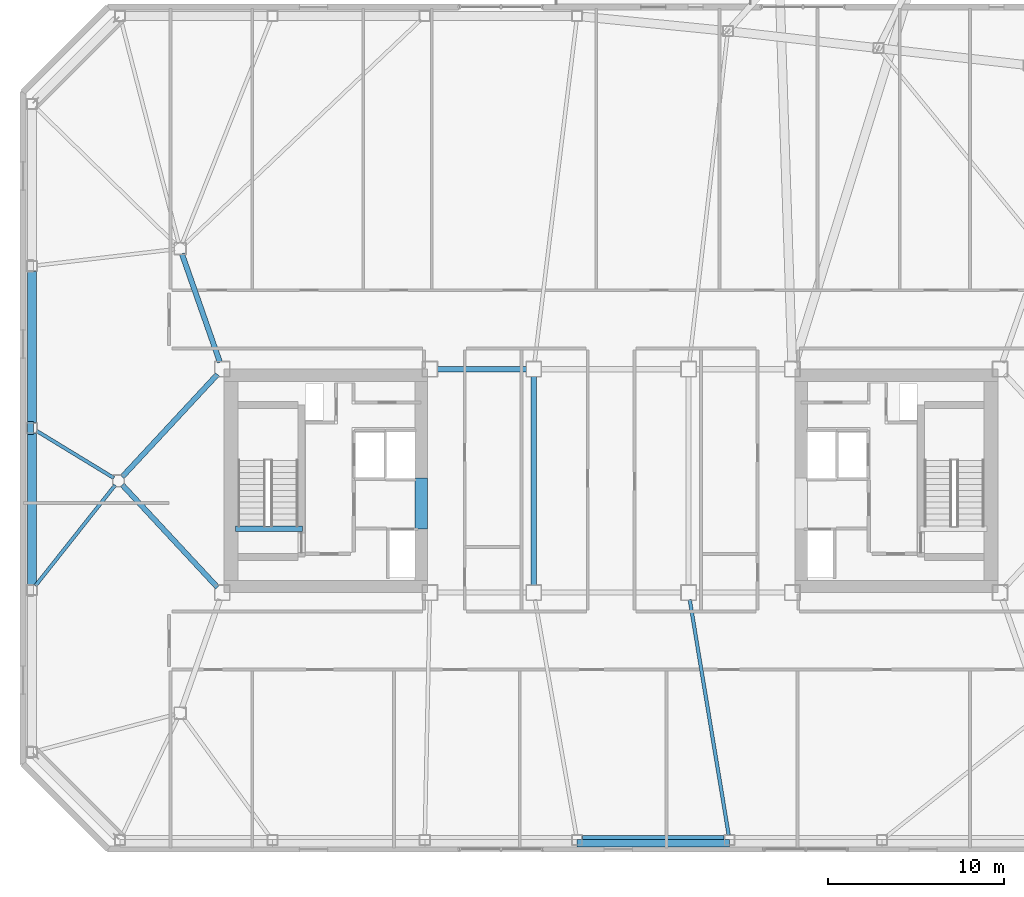
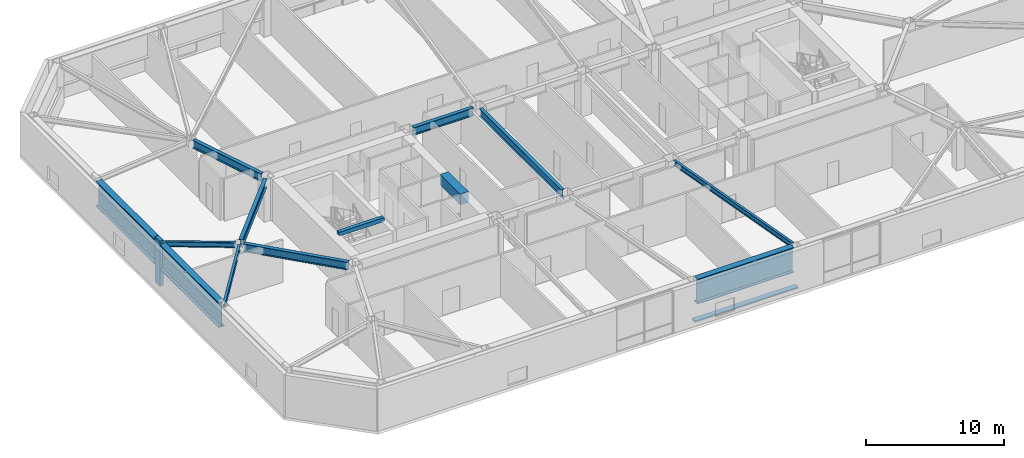
# One storey, part 3 of 19: 13 beams, 2 members.
"""IFC4 building model written with IfcOpenShell, lengths in metres."""

from ifc_helpers import new_model, si_unit, direction, frame, origin, origin_2d, place, context, subcontext, project, spatial, rectangle, i_section, extrude, material, material_profile, profile_set, type_object, element, save


model = new_model("IFC4")

# Units and contexts
model_context = context("Model", 3, precision=1e-05, world=origin(), true_north=direction((0.0, 1.0)))
body_context = subcontext(model_context, "Body", "Model", "MODEL_VIEW")
ifc_project = project(units=[si_unit("LENGTHUNIT", "METRE"), si_unit("AREAUNIT", "SQUARE_METRE"), si_unit("VOLUMEUNIT", "CUBIC_METRE"), si_unit("PLANEANGLEUNIT", "RADIAN"), si_unit("MASSUNIT", "GRAM", prefix="KILO")], contexts=[model_context])

# Site, building, storey
site_placement = place(None, origin())
site = spatial("IfcSite", under=ifc_project, at=site_placement, CompositionType="ELEMENT")
building_placement = place(site_placement, origin())
building = spatial("IfcBuilding", under=site, at=building_placement, Name="Tavrogorsk Clinical Tower", CompositionType="ELEMENT")
storey_placement = place(building_placement, frame((0.0, 0.0, 172.199951171875)))
storey = spatial("IfcBuildingStorey", under=building, at=storey_placement, Name="L39", CompositionType="ELEMENT", Elevation=172.199951171875)

# Member
ifc_material_1 = material(Name="Anodised aluminium alloy AW-6063", Category="aluminium")
ifc_material_profile_1 = material_profile(ifc_material_1, rectangle(XDim=0.449951171875, YDim=0.1201171875, at=origin_2d()), Name="ALU-SUNSHADE-450x120")
ifc_profile_set_1 = profile_set([ifc_material_profile_1], Name="Anodised aluminium alloy AW-6063")
member_type_1 = type_object("IfcMemberType", Name="ChicagoSunshade_450x120", PredefinedType="USERDEFINED", material=ifc_profile_set_1)
member_1_placement = place(storey_placement, frame((-1.931396484375, -20.60009765625, 0.179931640625), z_axis=(1.0, 0.0, 0.0), x_axis=(0.0, 1.0, 0.0)))
element("IfcMember", 1, at=member_1_placement, inside=storey, type_object=member_type_1, Name="L39 South Aluminium Sunshade S4", ObjectType="SUNSHADE", PredefinedType="USERDEFINED", context=body_context, shape_type="SweptSolid", body=[
    extrude(rectangle(XDim=0.449951171875, YDim=0.1201171875, at=origin_2d()), origin(), (0.0, 0.0, 1.0), 8.662841796875),
])

# Beams
ifc_material_2 = material(Name="Concrete B80", Category="concrete")
ifc_material_profile_2 = material_profile(ifc_material_2, rectangle(XDim=0.699951171875, YDim=0.949951171875, at=origin_2d()), Name="RC-CB-700x950")
ifc_profile_set_2 = profile_set([ifc_material_profile_2], Name="Concrete B80")
beam_type_1 = type_object("IfcBeamType", Name="CouplingBeam_RC700x950", PredefinedType="LINTEL", material=ifc_profile_set_2)
beam_1_placement = place(storey_placement, frame((-10.800048828125, -2.75, 3.26513671875), z_axis=(0.0, 1.0, 0.0), x_axis=(-1.0, 0.0, 0.0)))
element("IfcBeam", 2, at=beam_1_placement, inside=storey, type_object=beam_type_1, Name="L39 Core West Coupling Beam", PredefinedType="LINTEL", context=body_context, shape_type="SweptSolid", body=[
    extrude(rectangle(XDim=0.699951171875, YDim=0.949951171875, at=origin_2d()), origin(), (0.0, 0.0, 1.0), 2.89990234375),
])
ifc_material_3 = material(Name="Structural steel S355", Category="steel")
ifc_material_profile_3 = material_profile(ifc_material_3, i_section(OverallWidth=0.199951171875, OverallDepth=0.449951171875, WebThickness=0.011474609375, FlangeThickness=0.01806640625, at=origin_2d()), Name="B-450x200x11.5x18")
ifc_profile_set_3 = profile_set([ifc_material_profile_3], Name="Structural steel S355")
beam_type_2 = type_object("IfcBeamType", Name="FloorBeam_B450", PredefinedType="BEAM", material=ifc_profile_set_3)
beam_2_placement = place(storey_placement, frame((4.467041015625, -6.75439453125, 3.51513671875), z_axis=(0.16347521907, -0.986547440699, 0.0), x_axis=(0.986547440699, 0.16347521907, 0.0)))
element("IfcBeam", 3, at=beam_2_placement, inside=storey, type_object=beam_type_2, Name="L39 Radial Floor Beam S5", PredefinedType="BEAM", context=body_context, shape_type="SweptSolid", body=[
    extrude(i_section(OverallWidth=0.199951171875, OverallDepth=0.449951171875, WebThickness=0.011474609375, FlangeThickness=0.01806640625, at=origin_2d()), origin(), (0.0, 0.0, 1.0), 13.5439453125),
])
beam_3_placement = place(storey_placement, frame((-28.2646484375, 0.161376953125, 3.51513671875), z_axis=(-0.853798748257, 0.520603205402, 0.0), x_axis=(-0.520603205402, -0.853798748257, 0.0)))
element("IfcBeam", 4, at=beam_3_placement, inside=storey, type_object=beam_type_2, Name="L39 Radial Floor Beam W3", PredefinedType="BEAM", context=body_context, shape_type="SweptSolid", body=[
    extrude(i_section(OverallWidth=0.199951171875, OverallDepth=0.449951171875, WebThickness=0.011474609375, FlangeThickness=0.01806640625, at=origin_2d()), origin(), (0.0, 0.0, 1.0), 5.14453125),
])
beam_4_placement = place(storey_placement, frame((-28.192626953125, -0.242919921875, 3.51513671875), z_axis=(-0.620987118336, -0.783820769603, 0.0), x_axis=(0.783820769603, -0.620987118336, 0.0)))
element("IfcBeam", 5, at=beam_4_placement, inside=storey, type_object=beam_type_2, Name="L39 Radial Floor Beam W4", PredefinedType="BEAM", context=body_context, shape_type="SweptSolid", body=[
    extrude(i_section(OverallWidth=0.199951171875, OverallDepth=0.449951171875, WebThickness=0.011474609375, FlangeThickness=0.01806640625, at=origin_2d()), origin(), (0.0, 0.0, 1.0), 7.3046875),
])

# Member
ifc_material_4 = material(Name="Precast concrete B45 with limestone cladding", Category="masonry")
ifc_material_profile_4 = material_profile(ifc_material_4, rectangle(XDim=0.320068359375, YDim=0.719970703125, at=origin_2d()), Name="LIMESTONE-FIN-320x720")
ifc_profile_set_4 = profile_set([ifc_material_profile_4], Name="Precast concrete B45 with limestone cladding")
member_type_2 = type_object("IfcMemberType", Name="LimestonePleatFin_320x720", PredefinedType="USERDEFINED", material=ifc_profile_set_4)
member_2_placement = place(storey_placement, frame((-33.0, 3.0, 0.0), z_axis=(0.0, 0.0, 1.0), x_axis=(1.0, 0.0, 0.0)))
element("IfcMember", 6, at=member_2_placement, inside=storey, type_object=member_type_2, Name="L39 W Pleated Stone Fin 2", ObjectType="FIN", PredefinedType="USERDEFINED", context=body_context, shape_type="SweptSolid", body=[
    extrude(rectangle(XDim=0.320068359375, YDim=0.719970703125, at=origin_2d()), origin(), (0.0, 0.0, 1.0), 4.0),
])

# Beams
ifc_material_5 = material(Name="Structural steel S390", Category="steel")
ifc_material_profile_5 = material_profile(ifc_material_5, i_section(OverallWidth=0.300048828125, OverallDepth=0.699951171875, WebThickness=0.01708984375, FlangeThickness=0.028076171875, at=origin_2d()), Name="B-700x300x17x28")
ifc_profile_set_5 = profile_set([ifc_material_profile_5], Name="Structural steel S390")
beam_type_3 = type_object("IfcBeamType", Name="PrimaryGirder_B700", PredefinedType="USERDEFINED", material=ifc_profile_set_5)
beam_5_placement = place(storey_placement, frame((-9.889892578125, 6.35009765625, 3.39013671875), z_axis=(1.0, 0.0, 0.0), x_axis=(0.0, 1.0, 0.0)))
element("IfcBeam", 7, at=beam_5_placement, inside=storey, type_object=beam_type_3, Name="L39 Primary Spine Girder MG-02", ObjectType="GIRDER", PredefinedType="USERDEFINED", context=body_context, shape_type="SweptSolid", body=[
    extrude(i_section(OverallWidth=0.300048828125, OverallDepth=0.699951171875, WebThickness=0.01708984375, FlangeThickness=0.028076171875, at=origin_2d()), origin(), (0.0, 0.0, 1.0), 5.079833984375),
])
beam_6_placement = place(storey_placement, frame((-4.39990234375, -5.93994140625, 3.39013671875), z_axis=(0.0, 1.0, 0.0), x_axis=(-1.0, 0.0, 0.0)))
element("IfcBeam", 8, at=beam_6_placement, inside=storey, type_object=beam_type_3, Name="L39 Primary Spine Girder MG-07", ObjectType="GIRDER", PredefinedType="USERDEFINED", context=body_context, shape_type="SweptSolid", body=[
    extrude(i_section(OverallWidth=0.300048828125, OverallDepth=0.699951171875, WebThickness=0.01708984375, FlangeThickness=0.028076171875, at=origin_2d()), origin(), (0.0, 0.0, 1.0), 11.8798828125),
])
beam_7_placement = place(storey_placement, frame((-24.3974609375, 12.907470703125, 3.39013671875), z_axis=(0.33065312634, -0.94375235631, 0.0), x_axis=(0.94375235631, 0.33065312634, 0.0)))
element("IfcBeam", 9, at=beam_7_placement, inside=storey, type_object=beam_type_3, Name="L39 Spine Link Girder OPG-3", ObjectType="GIRDER", PredefinedType="USERDEFINED", context=body_context, shape_type="SweptSolid", body=[
    extrude(i_section(OverallWidth=0.300048828125, OverallDepth=0.699951171875, WebThickness=0.01708984375, FlangeThickness=0.028076171875, at=origin_2d()), origin(), (0.0, 0.0, 1.0), 6.5380859375),
])
for number, where, z_axis, x_axis, name in (
    (10, (-27.7890625, -0.22705078125, 3.39013671875), (0.680673750312, -0.732586681312, 0.0), (0.732586681312, 0.680673750312, 0.0), "L39 Spine Link Girder OPG-5"),
    (11, (-27.7890625, 0.22705078125, 3.39013671875), (0.680673750312, 0.732586681312, 0.0), (-0.732586681312, 0.680673750312, 0.0), "L39 Spine Link Girder OPG-6"),
):
    element("IfcBeam", number, at=place(storey_placement, frame(where, z_axis=z_axis, x_axis=x_axis)), inside=storey, type_object=beam_type_3, Name=name, ObjectType="GIRDER", PredefinedType="USERDEFINED", context=body_context, shape_type="SweptSolid", body=[
        extrude(i_section(OverallWidth=0.300048828125, OverallDepth=0.699951171875, WebThickness=0.01708984375, FlangeThickness=0.028076171875, at=origin_2d()), origin(), (0.0, 0.0, 1.0), 7.947998046875),
    ])
ifc_material_6 = material(Name="Concrete B60", Category="concrete")
ifc_material_profile_6 = material_profile(ifc_material_6, rectangle(XDim=0.300048828125, YDim=0.35009765625, at=origin_2d()), Name="RC-SHB-300x350")
ifc_profile_set_6 = profile_set([ifc_material_profile_6], Name="Concrete B60")
beam_type_4 = type_object("IfcBeamType", Name="StairHeaderBeam_RC300x350", PredefinedType="BEAM", material=ifc_profile_set_6)
beam_8_placement = place(storey_placement, frame((-21.35009765625, -2.719970703125, 3.824951171875), z_axis=(1.0, 0.0, 0.0), x_axis=(0.0, 1.0, 0.0)))
element("IfcBeam", 12, at=beam_8_placement, inside=storey, type_object=beam_type_4, Name="L40 ST-W Landing Header Beam", PredefinedType="BEAM", context=body_context, shape_type="SweptSolid", body=[
    extrude(rectangle(XDim=0.300048828125, YDim=0.35009765625, at=origin_2d()), origin(), (0.0, 0.0, 1.0), 3.800048828125),
])
ifc_material_7 = material(Name="Structural steel S440", Category="steel")
ifc_material_profile_7 = material_profile(ifc_material_7, i_section(OverallWidth=0.5, OverallDepth=2.199951171875, WebThickness=0.035888671875, FlangeThickness=0.054931640625, at=origin_2d()), Name="DK-2200x500x36x55")
ifc_profile_set_7 = profile_set([ifc_material_profile_7], Name="Structural steel S440")
beam_type_5 = type_object("IfcBeamType", Name="TransferGirder_DK2200", PredefinedType="USERDEFINED", material=ifc_profile_set_7)
beam_9_placement = place(storey_placement, frame((-1.623291015625, -20.419921875, 2.64013671875), z_axis=(1.0, 0.0, 0.0), x_axis=(0.0, 1.0, 0.0)))
element("IfcBeam", 13, at=beam_9_placement, inside=storey, type_object=beam_type_5, Name="L39 Perimeter Spandrel S4-S5", ObjectType="GIRDER", PredefinedType="USERDEFINED", context=body_context, shape_type="SweptSolid", body=[
    extrude(i_section(OverallWidth=0.5, OverallDepth=2.199951171875, WebThickness=0.035888671875, FlangeThickness=0.054931640625, at=origin_2d()), origin(), (0.0, 0.0, 1.0), 8.046630859375),
])
for number, where, z_axis, x_axis, name in (
    (14, (-32.919921875, 11.902099609375, 2.64013671875), (0.0, -1.0, 0.0), (1.0, 0.0, 0.0), "L39 Perimeter Spandrel W2-W3"),
    (15, (-32.919921875, 2.69189453125, 2.64013671875), (0.0, -1.0, 0.0), (1.0, 0.0, 0.0), "L39 Perimeter Spandrel W3-W4"),
):
    element("IfcBeam", number, at=place(storey_placement, frame(where, z_axis=z_axis, x_axis=x_axis)), inside=storey, type_object=beam_type_5, Name=name, ObjectType="GIRDER", PredefinedType="USERDEFINED", context=body_context, shape_type="SweptSolid", body=[
        extrude(i_section(OverallWidth=0.5, OverallDepth=2.199951171875, WebThickness=0.035888671875, FlangeThickness=0.054931640625, at=origin_2d()), origin(), (0.0, 0.0, 1.0), 8.593994140625),
    ])

save(model, "model.ifc")
